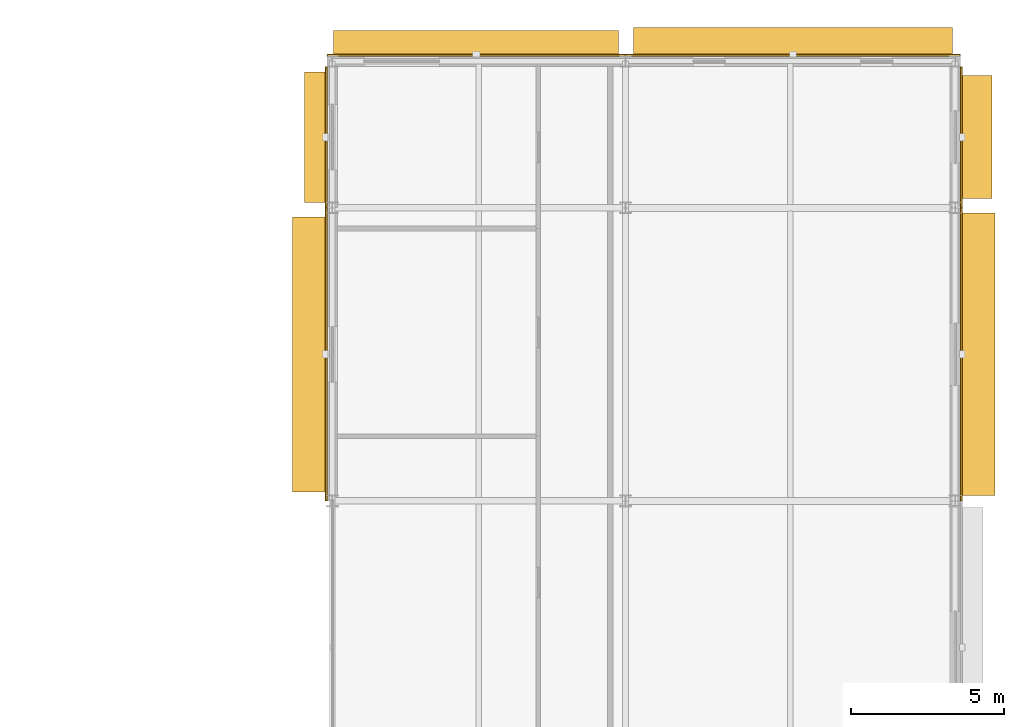
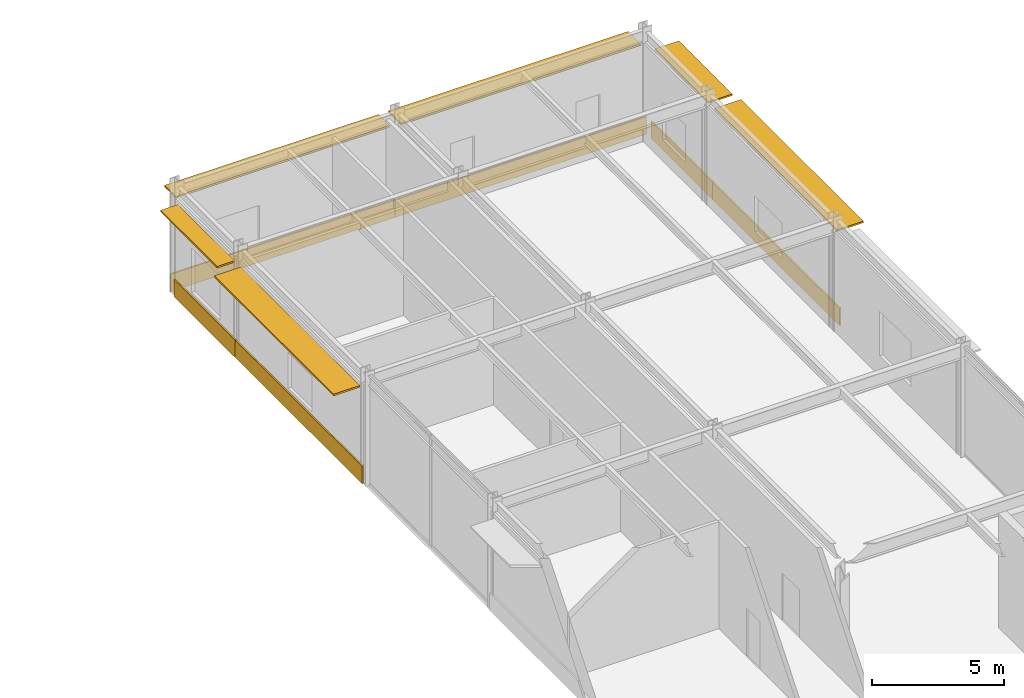
# One storey, part 167 of 168: 6 coverings, 6 shading devices.
"""IFC4 building model written with IfcOpenShell, lengths in metres."""

from ifc_helpers import new_model, si_unit, direction, frame, origin, origin_2d, place, context, subcontext, project, spatial, rectangle, extrude, material, layer, layer_set, type_object, element, save


model = new_model("IFC4")

# Units and contexts
model_context = context("Model", 3, precision=1e-05, world=origin(), true_north=direction((0.0, 1.0)))
body_context = subcontext(model_context, "Body", "Model", "MODEL_VIEW")
ifc_project = project(units=[si_unit("LENGTHUNIT", "METRE"), si_unit("AREAUNIT", "SQUARE_METRE"), si_unit("VOLUMEUNIT", "CUBIC_METRE"), si_unit("PLANEANGLEUNIT", "RADIAN"), si_unit("MASSUNIT", "GRAM", prefix="KILO")], contexts=[model_context])

# Site, building, storey
site_placement = place(None, origin())
site = spatial("IfcSite", under=ifc_project, at=site_placement, CompositionType="ELEMENT")
building_placement = place(site_placement, origin())
building = spatial("IfcBuilding", under=site, at=building_placement, Name="Almandine Court Research Institute", CompositionType="ELEMENT")
storey_placement = place(building_placement, origin())
storey = spatial("IfcBuildingStorey", under=building, at=storey_placement, Name="L00", CompositionType="ELEMENT", Elevation=0.0)

# Coverings
ifc_material_1 = material(Name="Honed Andean Red-Buff Sandstone Cladding", Category="masonry")
ifc_layer_1 = layer(ifc_material_1, 0.06494140625)
ifc_layer_set_1 = layer_set([ifc_layer_1], Name="Honed Andean Red-Buff Sandstone Cladding")
covering_type = type_object("IfcCoveringType", Name="Cov-CLAD-SAND", PredefinedType="CLADDING", material=ifc_layer_set_1)
covering_1_placement = place(storey_placement, frame((153.39892578125, 108.0, 0.02001953125), z_axis=(0.0, 0.0, 1.0), x_axis=(0.0, 1.0, 0.0)))
element("IfcCovering", 1, at=covering_1_placement, inside=storey, type_object=covering_type, Name="L00 Facade Spandrel Cladding Band 103", PredefinedType="CLADDING", context=body_context, shape_type="SweptSolid", body=[
    extrude(rectangle(XDim=9.592041015625, YDim=0.06494140625, at=origin_2d()), origin(), (0.0, 0.0, 1.0), 0.800048828125),
])
covering_2_placement = place(storey_placement, frame((153.39892578125, 115.114990234375, 0.02001953125), z_axis=(0.0, 0.0, 1.0), x_axis=(0.0, 1.0, 0.0)))
element("IfcCovering", 2, at=covering_2_placement, inside=storey, type_object=covering_type, Name="L00 Facade Spandrel Cladding Band 104", PredefinedType="CLADDING", context=body_context, shape_type="SweptSolid", body=[
    extrude(rectangle(XDim=4.6220703125, YDim=0.06494140625, at=origin_2d()), origin(), (0.0, 0.0, 1.0), 0.800048828125),
])
covering_3_placement = place(storey_placement, frame((158.31298828125, 117.800048828125, 0.02001953125), z_axis=(0.0, 0.0, 1.0), x_axis=(1.0, 0.0, 0.0)))
element("IfcCovering", 3, at=covering_3_placement, inside=storey, type_object=covering_type, Name="L00 Facade Spandrel Cladding Band 105", PredefinedType="CLADDING", context=body_context, shape_type="SweptSolid", body=[
    extrude(rectangle(XDim=9.76611328125, YDim=0.06494140625, at=origin_2d()), origin(), (0.0, 0.0, 1.0), 0.800048828125),
])
covering_4_placement = place(storey_placement, frame((168.68701171875, 117.800048828125, 0.02001953125), z_axis=(0.0, 0.0, 1.0), x_axis=(1.0, 0.0, 0.0)))
element("IfcCovering", 4, at=covering_4_placement, inside=storey, type_object=covering_type, Name="L00 Facade Spandrel Cladding Band 106", PredefinedType="CLADDING", context=body_context, shape_type="SweptSolid", body=[
    extrude(rectangle(XDim=10.966064453125, YDim=0.06494140625, at=origin_2d()), origin(), (0.0, 0.0, 1.0), 0.800048828125),
])
covering_5_placement = place(storey_placement, frame((174.200927734375, 115.114990234375, 0.02001953125), z_axis=(0.0, 0.0, 1.0), x_axis=(0.0, -1.0, 0.0)))
element("IfcCovering", 5, at=covering_5_placement, inside=storey, type_object=covering_type, Name="L00 Facade Spandrel Cladding Band 107", PredefinedType="CLADDING", context=body_context, shape_type="SweptSolid", body=[
    extrude(rectangle(XDim=4.6220703125, YDim=0.06494140625, at=origin_2d()), origin(), (0.0, 0.0, 1.0), 0.800048828125),
])
covering_6_placement = place(storey_placement, frame((174.200927734375, 108.0, 0.02001953125), z_axis=(0.0, 0.0, 1.0), x_axis=(0.0, -1.0, 0.0)))
element("IfcCovering", 6, at=covering_6_placement, inside=storey, type_object=covering_type, Name="L00 Facade Spandrel Cladding Band 108", PredefinedType="CLADDING", context=body_context, shape_type="SweptSolid", body=[
    extrude(rectangle(XDim=9.592041015625, YDim=0.06494140625, at=origin_2d()), origin(), (0.0, 0.0, 1.0), 0.800048828125),
])

# Shading devices
ifc_material_2 = material(Name="Precast GFRC Chhajja Sunshade and Acoustic Louvre", Category="concrete")
ifc_layer_2 = layer(ifc_material_2, 0.080078125)
ifc_layer_set_2 = layer_set([ifc_layer_2], Name="Precast GFRC Chhajja Sunshade and Acoustic Louvre")
shading_device_type_1 = type_object("IfcShadingDeviceType", Name="Shd-SD-09", PredefinedType="AWNING", material=ifc_layer_set_2)
shading_device_1_placement = place(storey_placement, frame((153.06494140625, 115.114990234375, 4.265869140625), z_axis=(0.0, 0.0, 1.0), x_axis=(0.0, 1.0, 0.0)))
element("IfcShadingDevice", 7, at=shading_device_1_placement, inside=storey, type_object=shading_device_type_1, Name="L00 Projecting Chhajja Sunshade 64", PredefinedType="AWNING", context=body_context, shape_type="SweptSolid", body=[
    extrude(rectangle(XDim=4.27197265625, YDim=0.75, at=origin_2d()), origin(), (0.0, 0.0, 1.0), 0.080078125),
])
ifc_layer_3 = layer(ifc_material_2, 0.080078125)
ifc_layer_set_3 = layer_set([ifc_layer_3], Name="Precast GFRC Chhajja Sunshade and Acoustic Louvre")
shading_device_type_2 = type_object("IfcShadingDeviceType", Name="Shd-SD-23", PredefinedType="AWNING", material=ifc_layer_set_3)
shading_device_2_placement = place(storey_placement, frame((152.864990234375, 108.0, 4.265869140625), z_axis=(0.0, 0.0, 1.0), x_axis=(0.0, 1.0, 0.0)))
element("IfcShadingDevice", 8, at=shading_device_2_placement, inside=storey, type_object=shading_device_type_2, Name="L00 Projecting Chhajja Sunshade 63", PredefinedType="AWNING", context=body_context, shape_type="SweptSolid", body=[
    extrude(rectangle(XDim=9.001953125, YDim=1.14990234375, at=origin_2d()), origin(), (0.0, 0.0, 1.0), 0.080078125),
])
ifc_layer_4 = layer(ifc_material_2, 0.080078125)
ifc_layer_set_4 = layer_set([ifc_layer_4], Name="Precast GFRC Chhajja Sunshade and Acoustic Louvre")
shading_device_type_3 = type_object("IfcShadingDeviceType", Name="Shd-SD-36", PredefinedType="AWNING", material=ifc_layer_set_4)
shading_device_3_placement = place(storey_placement, frame((174.735107421875, 108.0, 4.257080078125), z_axis=(0.0, 0.0, 1.0), x_axis=(0.0, -1.0, 0.0)))
element("IfcShadingDevice", 9, at=shading_device_3_placement, inside=storey, type_object=shading_device_type_3, Name="L00 Projecting Chhajja Sunshade 68", PredefinedType="AWNING", context=body_context, shape_type="SweptSolid", body=[
    extrude(rectangle(XDim=9.241943359375, YDim=1.14990234375, at=origin_2d()), origin(), (0.0, 0.0, 1.0), 0.080078125),
])
ifc_layer_5 = layer(ifc_material_2, 0.080078125)
ifc_layer_set_5 = layer_set([ifc_layer_5], Name="Precast GFRC Chhajja Sunshade and Acoustic Louvre")
shading_device_type_4 = type_object("IfcShadingDeviceType", Name="Shd-SD-39", PredefinedType="AWNING", material=ifc_layer_set_5)
shading_device_4_placement = place(storey_placement, frame((158.31298828125, 118.18505859375, 4.257080078125), z_axis=(0.0, 0.0, 1.0), x_axis=(1.0, 0.0, 0.0)))
element("IfcShadingDevice", 10, at=shading_device_4_placement, inside=storey, type_object=shading_device_type_4, Name="L00 Projecting Chhajja Sunshade 65", PredefinedType="AWNING", context=body_context, shape_type="SweptSolid", body=[
    extrude(rectangle(XDim=9.3359375, YDim=0.85009765625, at=origin_2d()), origin(), (0.0, 0.0, 1.0), 0.080078125),
])
ifc_layer_6 = layer(ifc_material_2, 0.080078125)
ifc_layer_set_6 = layer_set([ifc_layer_6], Name="Precast GFRC Chhajja Sunshade and Acoustic Louvre")
shading_device_type_5 = type_object("IfcShadingDeviceType", Name="Shd-SD-40", PredefinedType="AWNING", material=ifc_layer_set_6)
shading_device_5_placement = place(storey_placement, frame((168.68701171875, 118.235107421875, 4.18896484375), z_axis=(0.0, 0.0, 1.0), x_axis=(1.0, 0.0, 0.0)))
element("IfcShadingDevice", 11, at=shading_device_5_placement, inside=storey, type_object=shading_device_type_5, Name="L00 Projecting Chhajja Sunshade 66", PredefinedType="AWNING", context=body_context, shape_type="SweptSolid", body=[
    extrude(rectangle(XDim=10.4560546875, YDim=0.949951171875, at=origin_2d()), origin(), (0.0, 0.0, 1.0), 0.080078125),
])
ifc_layer_7 = layer(ifc_material_2, 0.080078125)
ifc_layer_set_7 = layer_set([ifc_layer_7], Name="Precast GFRC Chhajja Sunshade and Acoustic Louvre")
shading_device_type_6 = type_object("IfcShadingDeviceType", Name="Shd-SD-41", PredefinedType="AWNING", material=ifc_layer_set_7)
shading_device_6_placement = place(storey_placement, frame((174.68505859375, 115.114990234375, 4.257080078125), z_axis=(0.0, 0.0, 1.0), x_axis=(0.0, -1.0, 0.0)))
element("IfcShadingDevice", 12, at=shading_device_6_placement, inside=storey, type_object=shading_device_type_6, Name="L00 Projecting Chhajja Sunshade 67", PredefinedType="AWNING", context=body_context, shape_type="SweptSolid", body=[
    extrude(rectangle(XDim=4.031982421875, YDim=1.050048828125, at=origin_2d()), origin(), (0.0, 0.0, 1.0), 0.080078125),
])

save(model, "model.ifc")
